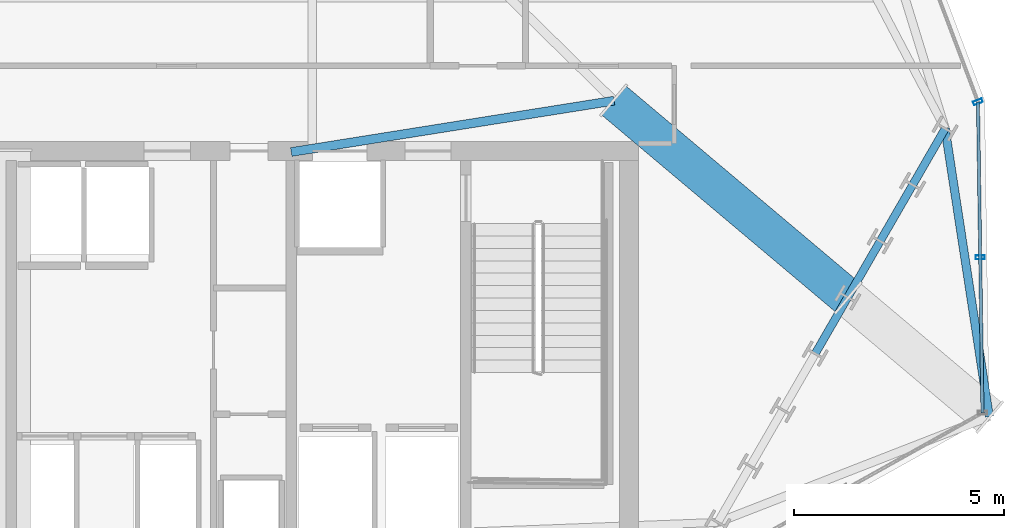
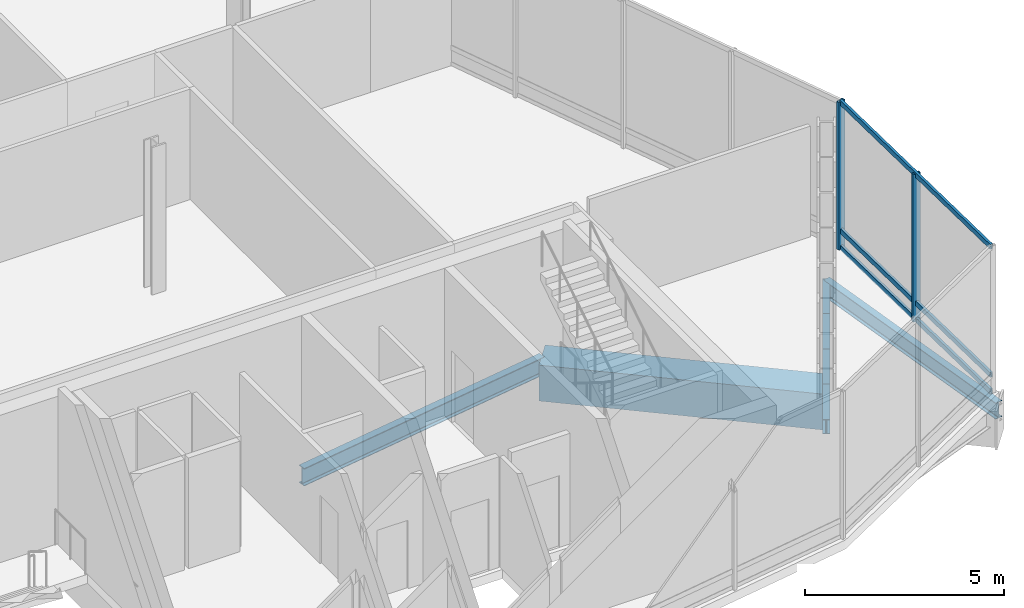
# One storey, part 11 of 26: 7 beams, 5 members, 2 elements without a shape of their own.
"""IFC4 building model written with IfcOpenShell, lengths in metres."""

from ifc_helpers import new_model, si_unit, direction, frame, origin, origin_2d, place, context, subcontext, project, spatial, hollow_rectangle, i_section, extrude, material, layer, layer_set, material_profile, profile_set, type_object, element, aggregate, save


model = new_model("IFC4")

# Units and contexts
model_context = context("Model", 3, precision=1e-05, world=origin(), true_north=direction((0.0, 1.0)))
body_context = subcontext(model_context, "Body", "Model", "MODEL_VIEW")
ifc_project = project(units=[si_unit("LENGTHUNIT", "METRE"), si_unit("AREAUNIT", "SQUARE_METRE"), si_unit("VOLUMEUNIT", "CUBIC_METRE"), si_unit("PLANEANGLEUNIT", "RADIAN"), si_unit("MASSUNIT", "GRAM", prefix="KILO")], contexts=[model_context])

# Site, building, storey
site_placement = place(None, origin())
site = spatial("IfcSite", under=ifc_project, at=site_placement, CompositionType="ELEMENT")
building_placement = place(site_placement, origin())
building = spatial("IfcBuilding", under=site, at=building_placement, Name="Ndaravel Arena Tower", CompositionType="ELEMENT")
storey_placement = place(building_placement, frame((0.0, 0.0, 117.39990234375)))
storey = spatial("IfcBuildingStorey", under=building, at=storey_placement, Name="L27", CompositionType="ELEMENT", Elevation=117.39990234375)

# Beams
ifc_material_1 = material(Name="Steel S355", Category="steel")
ifc_material_profile_1 = material_profile(ifc_material_1, i_section(OverallWidth=0.210693359375, OverallDepth=0.53955078125, WebThickness=0.01171875, FlangeThickness=0.018798828125, FilletRadius=0.0126953125, at=origin_2d()), Name="UB 533x210x109")
ifc_profile_set_1 = profile_set([ifc_material_profile_1], Name="Steel S355")
beam_type_1 = type_object("IfcBeamType", Name="BM-GIRD-UB533", PredefinedType="BEAM", material=ifc_profile_set_1)
beam_1_placement = place(storey_placement, frame((49.300048828125, 14.949951171875, -0.549560546875), z_axis=(0.987601133706, 0.156984077866, 0.0), x_axis=(-0.156984077866, 0.987601133706, 0.0)))
element("IfcBeam", 1, at=beam_1_placement, inside=storey, type_object=beam_type_1, Name="L27 Star Backspan Anchor Tie SAT1-3", PredefinedType="BEAM", context=body_context, shape_type="SweptSolid", body=[
    extrude(i_section(OverallWidth=0.210693359375, OverallDepth=0.53955078125, WebThickness=0.01171875, FlangeThickness=0.018798828125, FilletRadius=0.0126953125, at=origin_2d()), origin(), (0.0, 0.0, 1.0), 7.768310546875),
])
ifc_material_2 = material(Name="Steel S355", Category="steel")
ifc_material_profile_2 = material_profile(ifc_material_2, i_section(OverallWidth=0.18994140625, OverallDepth=0.449951171875, WebThickness=0.009521484375, FlangeThickness=0.0146484375, FilletRadius=0.02099609375, at=origin_2d()), Name="IPE 450")
ifc_profile_set_2 = profile_set([ifc_material_profile_2], Name="Steel S355")
beam_type_2 = type_object("IfcBeamType", Name="BM-SPAN-IPE450", PredefinedType="SPANDREL", material=ifc_profile_set_2)
for number, where, z_axis, x_axis, name in (
    (2, (61.750732421875, 10.157958984375, -0.5048828125), (0.5000008632, 0.866024905415, 0.0), (-0.866024905415, 0.5000008632, 0.0), "L27 Perimeter Spandrel Beam SP-05"),
    (3, (62.5224609375, 11.49462890625, -0.5048828125), (0.5000008632, 0.866024905415, 0.0), (-0.866024905415, 0.5000008632, 0.0), "L27 Perimeter Spandrel Beam SP-06"),
):
    element("IfcBeam", number, at=place(storey_placement, frame(where, z_axis=z_axis, x_axis=x_axis)), inside=storey, type_object=beam_type_2, Name=name, PredefinedType="SPANDREL", context=body_context, shape_type="SweptSolid", body=[
        extrude(i_section(OverallWidth=0.18994140625, OverallDepth=0.449951171875, WebThickness=0.009521484375, FlangeThickness=0.0146484375, FilletRadius=0.02099609375, at=origin_2d()), origin(), (0.0, 0.0, 1.0), 1.54345703125),
    ])
for number, where, z_axis, x_axis, name in (
    (4, (63.294189453125, 12.831298828125, -0.5048828125), (0.500069364209, 0.865985352636, 0.0), (-0.865985352636, 0.500069364209, 0.0), "L27 Perimeter Spandrel Beam SP-07"),
    (5, (64.06591796875, 14.167724609375, -0.5048828125), (0.499882215713, 0.866093395895, 0.0), (-0.866093395895, 0.499882215713, 0.0), "L27 Perimeter Spandrel Beam SP-08"),
):
    element("IfcBeam", number, at=place(storey_placement, frame(where, z_axis=z_axis, x_axis=x_axis)), inside=storey, type_object=beam_type_2, Name=name, PredefinedType="SPANDREL", context=body_context, shape_type="SweptSolid", body=[
        extrude(i_section(OverallWidth=0.18994140625, OverallDepth=0.449951171875, WebThickness=0.009521484375, FlangeThickness=0.0146484375, FilletRadius=0.02099609375, at=origin_2d()), origin(), (0.0, 0.0, 1.0), 1.543212890625),
    ])
ifc_material_3 = material(Name="Steel S355", Category="steel")
ifc_material_profile_3 = material_profile(ifc_material_3, i_section(OverallWidth=0.199951171875, OverallDepth=0.5, WebThickness=0.01025390625, FlangeThickness=0.01611328125, FilletRadius=0.02099609375, at=origin_2d()), Name="IPE 500")
ifc_profile_set_3 = profile_set([ifc_material_profile_3], Name="Steel S355")
beam_type_3 = type_object("IfcBeamType", Name="BM-SPAN-IPE500", PredefinedType="SPANDREL", material=ifc_profile_set_3)
beam_2_placement = place(storey_placement, frame((65.886474609375, 8.661376953125, -0.52978515625), z_axis=(-0.151535113883, 0.988451875035, 0.0), x_axis=(-0.988451875035, -0.151535113883, 0.0)))
element("IfcBeam", 6, at=beam_2_placement, inside=storey, type_object=beam_type_3, Name="L27 Star Facet Edge Beam SEB-3", PredefinedType="SPANDREL", context=body_context, shape_type="SweptSolid", body=[
    extrude(i_section(OverallWidth=0.199951171875, OverallDepth=0.5, WebThickness=0.01025390625, FlangeThickness=0.01611328125, FilletRadius=0.02099609375, at=origin_2d()), origin(), (0.0, 0.0, 1.0), 6.9228515625),
])
ifc_material_4 = material(Name="Steel S460", Category="steel")
ifc_material_profile_4 = material_profile(ifc_material_4, hollow_rectangle(XDim=0.89990234375, YDim=1.10009765625, WallThickness=0.06494140625, at=origin_2d()), Name="BOX 1100x900x65")
ifc_profile_set_4 = profile_set([ifc_material_profile_4], Name="Steel S460")
beam_type_4 = type_object("IfcBeamType", Name="BM-STAR-BOX1100", PredefinedType="BEAM", material=ifc_profile_set_4)
beam_3_placement = place(storey_placement, frame((56.971923828125, 16.16943359375, -0.829833984375), z_axis=(0.764865830432, -0.644189616059, 0.0), x_axis=(0.644189616059, 0.764865830432, 0.0)))
element("IfcBeam", 7, at=beam_3_placement, inside=storey, type_object=beam_type_4, Name="L27 Star Cantilever Backspan Girder SBG-3", PredefinedType="BEAM", context=body_context, shape_type="SweptSolid", body=[
    extrude(hollow_rectangle(XDim=0.89990234375, YDim=1.10009765625, WallThickness=0.06494140625, at=origin_2d()), origin(), (0.0, 0.0, 1.0), 7.2568359375),
])

# Curtain wall, member
ifc_material_5 = material(Name="Aluminium", Category="aluminium")
ifc_layer = layer(ifc_material_5, 0.179931640625)
ifc_layer_set = layer_set([ifc_layer], Name="Aluminium")
curtain_wall_type = type_object("IfcCurtainWallType", Name="CW-SYS-04", PredefinedType="NOTDEFINED", material=ifc_layer_set)
curtain_wall_1_placement = place(storey_placement, origin())
curtain_wall_1 = element("IfcCurtainWall", 8, at=curtain_wall_1_placement, inside=storey, type_object=curtain_wall_type, Name="L27 Faceted Crystal Curtain Wall CW-L27-E05", PredefinedType="NOTDEFINED")
ifc_material_6 = material(Name="Aluminium", Category="aluminium")
ifc_material_profile_5 = material_profile(ifc_material_6, hollow_rectangle(XDim=0.090087890625, YDim=0.219970703125, WallThickness=0.0048828125, at=origin_2d()), Name="CW MULLION 90x220x5")
ifc_profile_set_5 = profile_set([ifc_material_profile_5], Name="Aluminium")
member_type_1 = type_object("IfcMemberType", Name="MEM-CW-MUL220", PredefinedType="MULLION", material=ifc_profile_set_5)
member_1_placement = place(storey_placement, frame((65.67138671875, 12.448486328125, 0.0), z_axis=(0.0, 0.0, 1.0), x_axis=(-0.014503177598, 0.999894823389, 0.0)))
member_1 = element("IfcMember", 9, at=member_1_placement, type_object=member_type_1, Name="CW-L27-E05 Mullion 01", PredefinedType="MULLION", context=body_context, shape_type="SweptSolid", body=[
    extrude(hollow_rectangle(XDim=0.090087890625, YDim=0.219970703125, WallThickness=0.0048828125, at=origin_2d()), origin(), (0.0, 0.0, 1.0), 4.52001953125),
])

curtain_wall_2_placement = place(storey_placement, origin())
curtain_wall_2 = element("IfcCurtainWall", 10, at=curtain_wall_2_placement, inside=storey, type_object=curtain_wall_type, Name="L27 Faceted Crystal Curtain Wall CW-L27-E06", PredefinedType="NOTDEFINED")
member_2_placement = place(storey_placement, frame((65.617919921875, 16.142333984375, 0.0), z_axis=(0.0, 0.0, 1.0), x_axis=(-0.352805363625, 0.935696732599, 0.0)))
member_2 = element("IfcMember", 11, at=member_2_placement, type_object=member_type_1, Name="CW-L27-E06 Mullion 00", PredefinedType="MULLION", context=body_context, shape_type="SweptSolid", body=[
    extrude(hollow_rectangle(XDim=0.090087890625, YDim=0.219970703125, WallThickness=0.0048828125, at=origin_2d()), origin(), (0.0, 0.0, 1.0), 4.52001953125),
])
aggregate(curtain_wall_2, [member_2])

# Member
ifc_material_7 = material(Name="Aluminium", Category="aluminium")
ifc_material_profile_6 = material_profile(ifc_material_7, hollow_rectangle(XDim=0.074951171875, YDim=0.14990234375, WallThickness=0.00390625, at=origin_2d()), Name="CW TRANSOM 75x150x4")
ifc_profile_set_6 = profile_set([ifc_material_profile_6], Name="Aluminium")
member_type_2 = type_object("IfcMemberType", Name="MEM-CW-TRN150", PredefinedType="USERDEFINED", material=ifc_profile_set_6)
member_3_placement = place(storey_placement, frame((65.72509765625, 8.75439453125, 0.0400390625), z_axis=(-0.014505595059, 0.999894788321, 0.0), x_axis=(-0.999894788321, -0.014505595059, 0.0)))
member_3 = element("IfcMember", 12, at=member_3_placement, type_object=member_type_2, Name="CW-L27-E05 Transom 01", ObjectType="TRANSOM", PredefinedType="USERDEFINED", context=body_context, shape_type="SweptSolid", body=[
    extrude(hollow_rectangle(XDim=0.074951171875, YDim=0.14990234375, WallThickness=0.00390625, at=origin_2d()), origin(), (0.0, 0.0, 1.0), 7.388671875),
])

member_4_placement = place(storey_placement, frame((65.72509765625, 8.75439453125, 0.550048828125), z_axis=(-0.014505595059, 0.999894788321, 0.0), x_axis=(-0.999894788321, -0.014505595059, 0.0)))
member_4 = element("IfcMember", 13, at=member_4_placement, type_object=member_type_2, Name="CW-L27-E05 Transom 02", ObjectType="TRANSOM", PredefinedType="USERDEFINED", context=body_context, shape_type="SweptSolid", body=[
    extrude(hollow_rectangle(XDim=0.074951171875, YDim=0.14990234375, WallThickness=0.00390625, at=origin_2d()), origin(), (0.0, 0.0, 1.0), 7.388671875),
])

member_5_placement = place(storey_placement, frame((65.72509765625, 8.75439453125, 4.47998046875), z_axis=(-0.014505595059, 0.999894788321, 0.0), x_axis=(-0.999894788321, -0.014505595059, 0.0)))
member_5 = element("IfcMember", 14, at=member_5_placement, type_object=member_type_2, Name="CW-L27-E05 Transom 03", ObjectType="TRANSOM", PredefinedType="USERDEFINED", context=body_context, shape_type="SweptSolid", body=[
    extrude(hollow_rectangle(XDim=0.074951171875, YDim=0.14990234375, WallThickness=0.00390625, at=origin_2d()), origin(), (0.0, 0.0, 1.0), 7.388671875),
])

aggregate(curtain_wall_1, [member_1, member_3, member_4, member_5])

save(model, "model.ifc")
